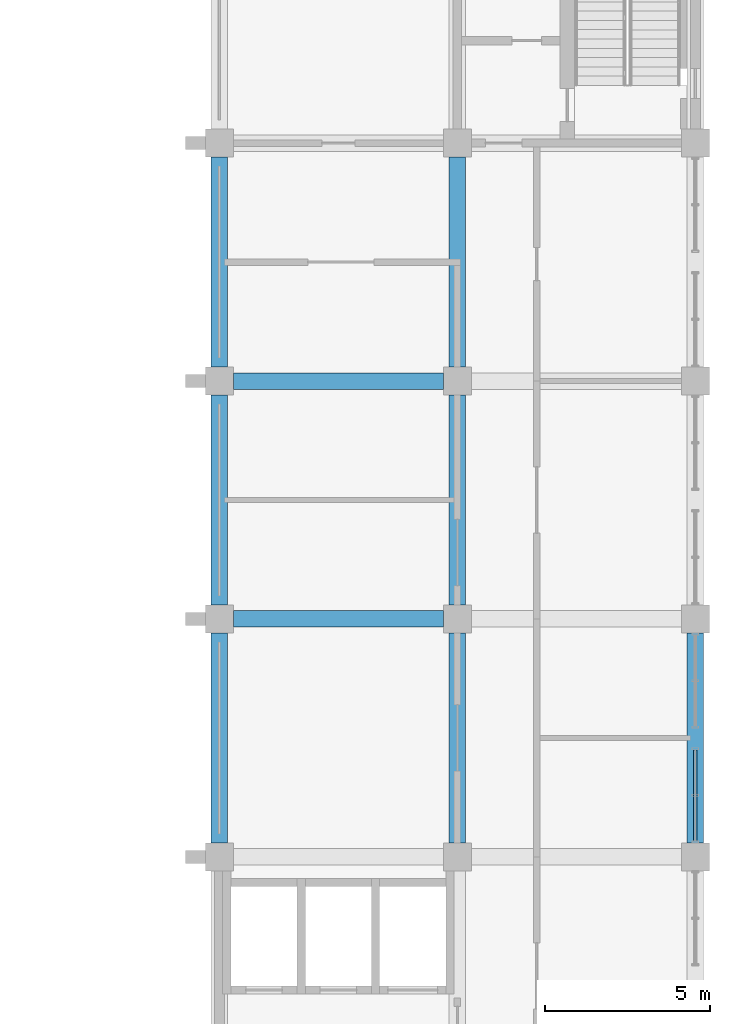
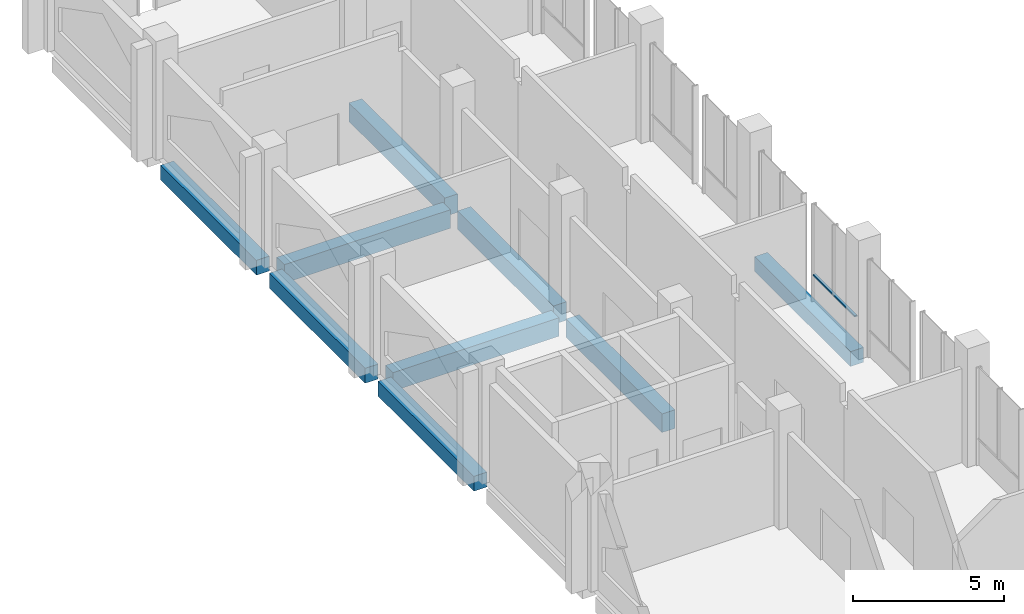
# One storey, part 19 of 40: 9 beams, 1 member, 1 element without a shape of its own.
"""IFC4 building model written with IfcOpenShell, lengths in metres."""

from ifc_helpers import new_model, si_unit, direction, frame, origin, origin_2d, place, context, subcontext, project, spatial, rectangle, hollow_rectangle, extrude, material, material_profile, profile_set, type_object, element, aggregate, save


model = new_model("IFC4")

# Units and contexts
model_context = context("Model", 3, precision=1e-05, world=origin(), true_north=direction((0.0, 1.0)))
body_context = subcontext(model_context, "Body", "Model", "MODEL_VIEW")
ifc_project = project(units=[si_unit("LENGTHUNIT", "METRE"), si_unit("AREAUNIT", "SQUARE_METRE"), si_unit("VOLUMEUNIT", "CUBIC_METRE"), si_unit("PLANEANGLEUNIT", "RADIAN"), si_unit("MASSUNIT", "GRAM", prefix="KILO")], contexts=[model_context])

# Site, building, storey
site_placement = place(None, origin())
site = spatial("IfcSite", under=ifc_project, at=site_placement, CompositionType="ELEMENT")
building_placement = place(site_placement, origin())
building = spatial("IfcBuilding", under=site, at=building_placement, Name="Silangan Lancet Faculty of Sciences", CompositionType="ELEMENT")
storey_placement = place(building_placement, frame((0.0, 0.0, 16.800048828125)))
storey = spatial("IfcBuildingStorey", under=building, at=storey_placement, Name="L03", CompositionType="ELEMENT", Elevation=16.800048828125)

# Beams
ifc_material_1 = material(Name="Concrete C40/50", Category="concrete")
ifc_material_profile_1 = material_profile(ifc_material_1, rectangle(XDim=0.5, YDim=0.60009765625, at=origin_2d()), Name="RC 500x600")
ifc_profile_set_1 = profile_set([ifc_material_profile_1], Name="Concrete C40/50")
beam_type_1 = type_object("IfcBeamType", Name="BEAM RC 500x600", PredefinedType="BEAM", material=ifc_profile_set_1)
for number, where, z_axis, x_axis, name in (
    (1, (72.0, 29.22509765625, -0.550048828125), (0.0, 1.0, 0.0), (-1.0, 0.0, 0.0), "BM-L03-11E-11F"),
    (2, (72.0, 36.425048828125, -0.550048828125), (0.0, 1.0, 0.0), (-1.0, 0.0, 0.0), "BM-L03-11F-11G"),
):
    element("IfcBeam", number, at=place(storey_placement, frame(where, z_axis=z_axis, x_axis=x_axis)), inside=storey, type_object=beam_type_1, Name=name, PredefinedType="BEAM", context=body_context, shape_type="SweptSolid", body=[
        extrude(rectangle(XDim=0.5, YDim=0.60009765625, at=origin_2d()), origin(), (0.0, 0.0, 1.0), 6.349853515625),
    ])
beam_1_placement = place(storey_placement, frame((72.0, 43.625, -0.550048828125), z_axis=(0.0, 1.0, 0.0), x_axis=(-1.0, 0.0, 0.0)))
element("IfcBeam", 3, at=beam_1_placement, inside=storey, type_object=beam_type_1, Name="BM-L03-11G-11H", PredefinedType="BEAM", context=body_context, shape_type="SweptSolid", body=[
    extrude(rectangle(XDim=0.5, YDim=0.60009765625, at=origin_2d()), origin(), (0.0, 0.0, 1.0), 6.35009765625),
])
beam_2_placement = place(storey_placement, frame((86.39990234375, 29.22509765625, -0.550048828125), z_axis=(0.0, 1.0, 0.0), x_axis=(-1.0, 0.0, 0.0)))
element("IfcBeam", 4, at=beam_2_placement, inside=storey, type_object=beam_type_1, Name="BM-L03-13E-13F", PredefinedType="BEAM", context=body_context, shape_type="SweptSolid", body=[
    extrude(rectangle(XDim=0.5, YDim=0.60009765625, at=origin_2d()), origin(), (0.0, 0.0, 1.0), 6.349853515625),
])
ifc_material_2 = material(Name="Concrete C40/50", Category="concrete")
ifc_material_profile_2 = material_profile(ifc_material_2, rectangle(XDim=0.5, YDim=0.75, at=origin_2d()), Name="RC 500x750")
ifc_profile_set_2 = profile_set([ifc_material_profile_2], Name="Concrete C40/50")
beam_type_2 = type_object("IfcBeamType", Name="BEAM RC 500x750", PredefinedType="BEAM", material=ifc_profile_set_2)
for number, where, z_axis, x_axis, name in (
    (5, (72.425048828125, 36.0, -0.625), (1.0, 0.0, 0.0), (0.0, 1.0, 0.0), "BM-L03-11F-12F"),
    (6, (72.425048828125, 43.199951171875, -0.625), (1.0, 0.0, 0.0), (0.0, 1.0, 0.0), "BM-L03-11G-12G"),
    (7, (79.199951171875, 29.22509765625, -0.625), (0.0, 1.0, 0.0), (-1.0, 0.0, 0.0), "BM-L03-12E-12F"),
    (8, (79.199951171875, 36.425048828125, -0.625), (0.0, 1.0, 0.0), (-1.0, 0.0, 0.0), "BM-L03-12F-12G"),
):
    element("IfcBeam", number, at=place(storey_placement, frame(where, z_axis=z_axis, x_axis=x_axis)), inside=storey, type_object=beam_type_2, Name=name, PredefinedType="BEAM", context=body_context, shape_type="SweptSolid", body=[
        extrude(rectangle(XDim=0.5, YDim=0.75, at=origin_2d()), origin(), (0.0, 0.0, 1.0), 6.349853515625),
    ])
beam_3_placement = place(storey_placement, frame((79.199951171875, 43.625, -0.625), z_axis=(0.0, 1.0, 0.0), x_axis=(-1.0, 0.0, 0.0)))
element("IfcBeam", 9, at=beam_3_placement, inside=storey, type_object=beam_type_2, Name="BM-L03-12G-12H", PredefinedType="BEAM", context=body_context, shape_type="SweptSolid", body=[
    extrude(rectangle(XDim=0.5, YDim=0.75, at=origin_2d()), origin(), (0.0, 0.0, 1.0), 6.35009765625),
])

# Curtain wall, member
ifc_material_3 = material(Name="Aluminium framed curtain wall with insulated glass", Category="aluminium")
curtain_wall_type = type_object("IfcCurtainWallType", Name="CW1 Commons and east block glazing", PredefinedType="NOTDEFINED", material=ifc_material_3)
curtain_wall_placement = place(storey_placement, origin())
curtain_wall = element("IfcCurtainWall", 10, at=curtain_wall_placement, inside=storey, type_object=curtain_wall_type, Name="CW1 East commons L03 bay 7", PredefinedType="NOTDEFINED")
ifc_material_4 = material(Name="Aluminium 6063-T6 extrusion", Category="aluminium")
ifc_material_profile_3 = material_profile(ifc_material_4, hollow_rectangle(XDim=0.10009765625, YDim=0.06005859375, WallThickness=0.0029296875, at=origin_2d()), Name="AL BOX 100x60x3")
ifc_profile_set_3 = profile_set([ifc_material_profile_3], Name="Aluminium 6063-T6 extrusion")
member_type = type_object("IfcMemberType", Name="CT1 Transom 100x60", PredefinedType="USERDEFINED", material=ifc_profile_set_3)
member_placement = place(storey_placement, frame((86.39990234375, 29.284912109375, 1.070068359375), z_axis=(0.0, 1.0, 0.0), x_axis=(-1.0, 0.0, 0.0)))
member = element("IfcMember", 11, at=member_placement, type_object=member_type, Name="CW1 East commons L03 bay 7 transom 1", ObjectType="TRANSOM", PredefinedType="USERDEFINED", context=body_context, shape_type="SweptSolid", body=[
    extrude(hollow_rectangle(XDim=0.10009765625, YDim=0.06005859375, WallThickness=0.0029296875, at=origin_2d()), origin(), (0.0, 0.0, 1.0), 2.7548828125),
])
aggregate(curtain_wall, [member])

save(model, "model.ifc")
